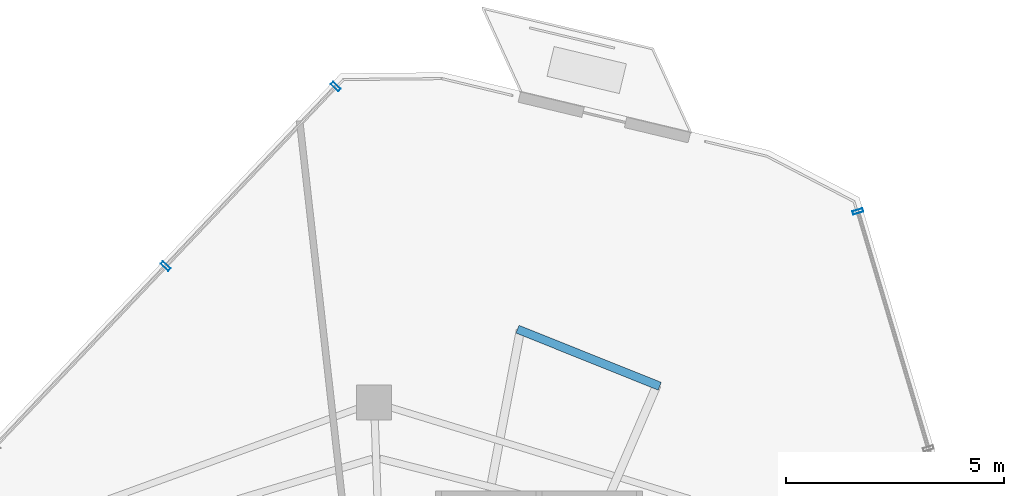
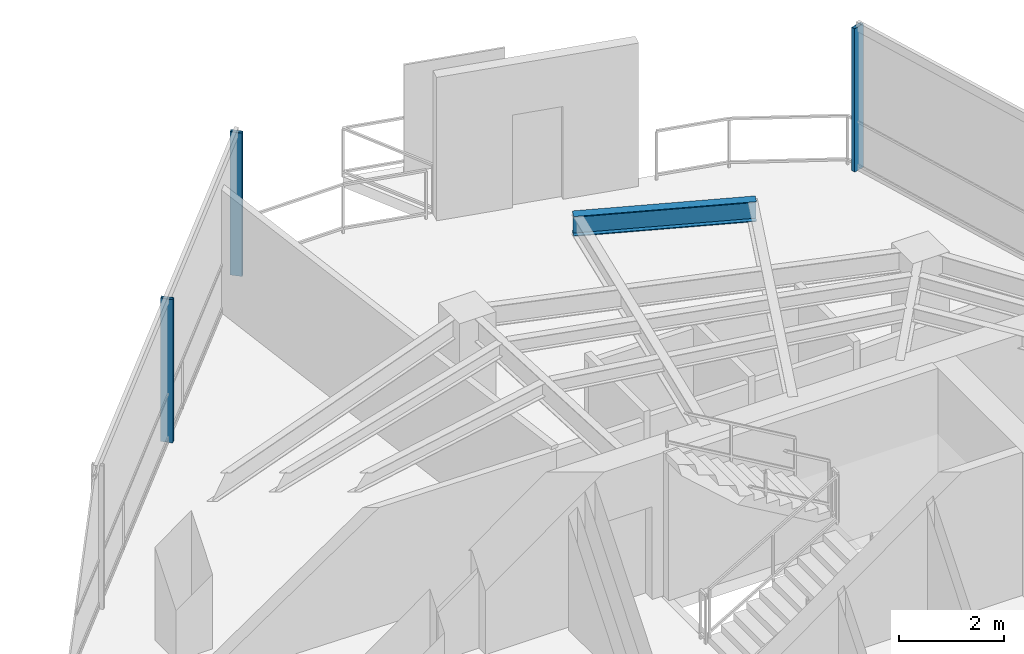
# One storey, part 13 of 18: 3 members, 1 beam, 2 elements without a shape of their own.
"""IFC4 building model written with IfcOpenShell, lengths in metres."""

import ifcopenshell
import ifcopenshell.guid

model = None  # the IFC model being written
_history = None  # IfcOwnerHistory: only IFC2X3 demands one
_inside = {}  # id of a spatial element -> (the spatial element, [elements in it])
_under = {}  # id of a project, library or spatial element -> (it, [spatial elements below it])
_declared = {}  # id of a project -> (the project, [libraries it declares])
_typed = {}  # id of a type object -> (the type object, [elements of that type])
_made_of = {}  # id of a material, layer set ... -> (it, [elements and type objects made of it])


def new_model(schema):
    """Start an empty IFC model of exactly this schema.

    Asked for "IFC4X3", IfcOpenShell would pick the latest addendum, in which some entities
    have other attributes; the version numbers below select the first issue.
    IFC2X3 requires an IfcOwnerHistory on every rooted entity: one is made here for all.
    """
    global model, _history
    if schema == "IFC4X3":
        model = ifcopenshell.file(schema_version=(4, 3, 0, 0))
    else:
        model = ifcopenshell.file(schema=schema)
    _inside.clear()
    _under.clear()
    _declared.clear()
    _typed.clear()
    _made_of.clear()
    _history = None
    if model.schema == "IFC2X3":
        org = make("IfcOrganization", Name="unknown")
        user = make(
            "IfcPersonAndOrganization",
            ThePerson=make("IfcPerson", FamilyName="unknown"),
            TheOrganization=org,
        )
        app = make(
            "IfcApplication",
            ApplicationDeveloper=org,
            Version="unknown",
            ApplicationFullName="unknown",
            ApplicationIdentifier="unknown",
        )
        _history = make(
            "IfcOwnerHistory",
            OwningUser=user,
            OwningApplication=app,
            ChangeAction="ADDED",
            CreationDate=0,
        )
    return model


def make(cls, **values):
    """One entity of the class cls with the attributes given. An attribute that is None is left unset."""
    return model.create_entity(
        cls, **{name: value for name, value in values.items() if value is not None}
    )


def rooted(cls, **values):
    """An entity with a GlobalId (a new one), such as an element, a storey or a relation."""
    return make(cls, GlobalId=ifcopenshell.guid.new(), OwnerHistory=_history, **values)


def si_unit(unit_type, name, prefix=None):
    """IfcSIUnit, for example si_unit("LENGTHUNIT", "METRE", prefix="MILLI")."""
    return make("IfcSIUnit", UnitType=unit_type, Prefix=prefix, Name=name)


def assignment(units):
    """IfcUnitAssignment: the units of a project."""
    return None if units is None else make("IfcUnitAssignment", Units=units)


def point(xyz):
    """IfcCartesianPoint."""
    return None if xyz is None else make("IfcCartesianPoint", Coordinates=xyz)


def direction(xyz):
    """IfcDirection."""
    return None if xyz is None else make("IfcDirection", DirectionRatios=xyz)


def frame(location, z_axis=None, x_axis=None):
    """IfcAxis2Placement3D, a coordinate frame: its origin and axes. An axis left out is left unset."""
    return make(
        "IfcAxis2Placement3D",
        Location=point(location),
        Axis=direction(z_axis),
        RefDirection=direction(x_axis),
    )


def frame_2d(location, x_axis=None):
    """IfcAxis2Placement2D, a coordinate frame in the plane: its origin and x axis."""
    return make(
        "IfcAxis2Placement2D", Location=point(location), RefDirection=direction(x_axis)
    )


def origin():
    """The frame at (0, 0, 0) with its axes left unset."""
    return frame((0.0, 0.0, 0.0))


def origin_2d():
    """The frame at (0, 0) in the plane with its x axis left unset."""
    return frame_2d((0.0, 0.0))


def place(relative_to, where):
    """IfcLocalPlacement: puts the frame where relative to a parent placement (None: the world)."""
    return make(
        "IfcLocalPlacement", PlacementRelTo=relative_to, RelativePlacement=where
    )


def context(
    kind, dimensions, precision=None, world=None, true_north=None, identifier=None
):
    """IfcGeometricRepresentationContext, for example the 3D "Model" context."""
    return make(
        "IfcGeometricRepresentationContext",
        ContextIdentifier=identifier,
        ContextType=kind,
        CoordinateSpaceDimension=dimensions,
        Precision=precision,
        WorldCoordinateSystem=world,
        TrueNorth=true_north,
    )


def subcontext(parent, identifier, kind, view, scale=None):
    """IfcGeometricRepresentationSubContext, for example "Body" below "Model"."""
    return make(
        "IfcGeometricRepresentationSubContext",
        ContextIdentifier=identifier,
        ContextType=kind,
        ParentContext=parent,
        TargetScale=scale,
        TargetView=view,
    )


def project(units=None, contexts=None):
    """IfcProject with its units and contexts."""
    return rooted(
        "IfcProject",
        Name="project",
        RepresentationContexts=contexts,
        UnitsInContext=assignment(units),
    )


def spatial(cls, under=None, at=None, **own):
    """A site, building, storey or space (cls), placed at a placement, below another one or the project."""
    s = rooted(cls, ObjectPlacement=at, **own)
    if under is not None:
        _under.setdefault(under.id(), (under, []))[1].append(s)
    return s


def profile(cls, at=None, kind="AREA", **sizes):
    """A parametric profile (cls). Its sizes go by their IFC names, for example OverallWidth=200.0."""
    return make(cls, ProfileType=kind, Position=at, **sizes)


def hollow_rectangle(**sizes):
    """IfcRectangleHollowProfileDef."""
    return profile("IfcRectangleHollowProfileDef", **sizes)


def i_section(**sizes):
    """IfcIShapeProfileDef."""
    return profile("IfcIShapeProfileDef", **sizes)


def extrude(swept, where, along, depth):
    """IfcExtrudedAreaSolid: the profile swept, set in the frame where, extruded along a direction by depth."""
    return make(
        "IfcExtrudedAreaSolid",
        SweptArea=swept,
        Position=where,
        ExtrudedDirection=direction(along),
        Depth=depth,
    )


def shape(context_of_items, identifier, shape_type, items):
    """IfcShapeRepresentation: the items that make up one representation, for example the "Body"."""
    return make(
        "IfcShapeRepresentation",
        ContextOfItems=context_of_items,
        RepresentationIdentifier=identifier,
        RepresentationType=shape_type,
        Items=items,
    )


def material(Name=None, Category=None):
    """IfcMaterial."""
    return make("IfcMaterial", Name=Name, Category=Category)


def layer(
    of_material, thickness, ventilated=None, Name=None, Category=None, Priority=None
):
    """IfcMaterialLayer: one layer of a wall or slab, of a material (None: an air gap)."""
    return make(
        "IfcMaterialLayer",
        Material=of_material,
        LayerThickness=thickness,
        IsVentilated=ventilated,
        Name=Name,
        Category=Category,
        Priority=Priority,
    )


def layer_set(layers, Name=None):
    """IfcMaterialLayerSet."""
    return make("IfcMaterialLayerSet", MaterialLayers=layers, LayerSetName=Name)


def material_profile(
    of_material, cross_section, Name=None, Category=None, Priority=None
):
    """IfcMaterialProfile: a cross section and its material."""
    return make(
        "IfcMaterialProfile",
        Name=Name,
        Material=of_material,
        Profile=cross_section,
        Priority=Priority,
        Category=Category,
    )


def profile_set(profiles, Name=None, composite=None):
    """IfcMaterialProfileSet."""
    return make(
        "IfcMaterialProfileSet",
        Name=Name,
        MaterialProfiles=profiles,
        CompositeProfile=composite,
    )


def made_of(thing, what):
    """Note that an element or type object is made of a material, layer set ...; save() writes the relation."""
    if what is not None:
        _made_of.setdefault(what.id(), (what, []))[1].append(thing)
    return thing


def type_object(cls, material=None, **own):
    """A type object (cls), such as IfcWallType, which elements share."""
    return made_of(rooted(cls, **own), material)


def element(
    cls,
    number,
    at=None,
    inside=None,
    cuts=None,
    type_object=None,
    material=None,
    context=None,
    identifier="Body",
    shape_type=None,
    held_by="IfcProductDefinitionShape",
    body=None,
    shapes=None,
    **own,
):
    """One element of the class cls, such as IfcWall. Its Tag is "e" and its number.

    at: its placement. inside: the storey or other place that contains it. cuts: it is an
    opening in that element (IfcRelVoidsElement). A single representation is given by context,
    identifier, shape_type and body (its items); several are given by shapes. held_by: the class
    of the entity that holds the representations. save() writes the other relations.
    """
    e = rooted(cls, Tag="e%d" % number, ObjectPlacement=at, **own)
    if body is not None:
        shapes = [shape(context, identifier, shape_type, body)]
    if shapes is not None:
        e.Representation = make(held_by, Representations=shapes)
    if inside is not None:
        _inside.setdefault(inside.id(), (inside, []))[1].append(e)
    if cuts is not None:
        rooted(
            "IfcRelVoidsElement", RelatingBuildingElement=cuts, RelatedOpeningElement=e
        )
    if type_object is not None:
        _typed.setdefault(type_object.id(), (type_object, []))[1].append(e)
    return made_of(e, material)


def aggregate(whole, parts):
    """IfcRelAggregates: a whole, such as a stair, and the parts it consists of."""
    return rooted("IfcRelAggregates", RelatingObject=whole, RelatedObjects=parts)


def save(model, path):
    """Write the relations noted so far, then the file.

    IfcRelAggregates (storeys below a building ...), IfcRelContainedInSpatialStructure (elements
    in a storey), IfcRelDefinesByType, IfcRelAssociatesMaterial and IfcRelDeclares: one each for
    every whole, place, type object, material and project.
    """
    for whole, parts in _under.values():
        aggregate(whole, parts)
    for where, things in _inside.values():
        rooted(
            "IfcRelContainedInSpatialStructure",
            RelatedElements=things,
            RelatingStructure=where,
        )
    for kind, things in _typed.values():
        rooted("IfcRelDefinesByType", RelatedObjects=things, RelatingType=kind)
    for what, things in _made_of.values():
        rooted("IfcRelAssociatesMaterial", RelatedObjects=things, RelatingMaterial=what)
    for by, libraries in _declared.values():
        rooted("IfcRelDeclares", RelatingContext=by, RelatedDefinitions=libraries)
    model.write(path)


model = new_model("IFC4")

# Units and contexts
model_context = context("Model", 3, precision=1e-05, world=origin(), true_north=direction((0.0, 1.0)))
body_context = subcontext(model_context, "Body", "Model", "MODEL_VIEW")
ifc_project = project(units=[si_unit("LENGTHUNIT", "METRE"), si_unit("AREAUNIT", "SQUARE_METRE"), si_unit("VOLUMEUNIT", "CUBIC_METRE"), si_unit("PLANEANGLEUNIT", "RADIAN"), si_unit("MASSUNIT", "GRAM", prefix="KILO")], contexts=[model_context])

# Site, building, storey
site_placement = place(None, origin())
site = spatial("IfcSite", under=ifc_project, at=site_placement, CompositionType="ELEMENT")
building_placement = place(site_placement, origin())
building = spatial("IfcBuilding", under=site, at=building_placement, Name="Qarnah Convention Tower", CompositionType="ELEMENT")
storey_placement = place(building_placement, frame((0.0, 0.0, 242.699951171875)))
storey = spatial("IfcBuildingStorey", under=building, at=storey_placement, Name="L65", CompositionType="ELEMENT", Elevation=242.699951171875)

# Beam
ifc_material_1 = material(Name="Structural steel S355JR", Category="steel")
ifc_material_profile_1 = material_profile(ifc_material_1, i_section(OverallWidth=0.19189453125, OverallDepth=0.464111328125, WebThickness=0.010986328125, FlangeThickness=0.01806640625, at=origin_2d()), Name="W460X89")
ifc_profile_set_1 = profile_set([ifc_material_profile_1], Name="Structural steel S355JR")
beam_type = type_object("IfcBeamType", Name="BM-CANT-W460A", PredefinedType="BEAM", material=ifc_profile_set_1)
beam_placement = place(storey_placement, frame((40.009033203125, 41.6201171875, 3.088134765625), z_axis=(0.928063247738, -0.372422620417, 0.0), x_axis=(0.372422620417, 0.928063247738, 0.0)))
element("IfcBeam", 1, at=beam_placement, inside=storey, type_object=beam_type, Name="L65 spandrel BM-L65-CTIE-01", PredefinedType="SPANDREL", context=body_context, shape_type="SweptSolid", body=[
    extrude(i_section(OverallWidth=0.19189453125, OverallDepth=0.464111328125, WebThickness=0.010986328125, FlangeThickness=0.01806640625, at=origin_2d()), origin(), (0.0, 0.0, 1.0), 3.507080078125),
])

# Curtain wall, members
ifc_material_2 = material(Name="Tempered Low-E dark glass", Category="glass")
ifc_layer = layer(ifc_material_2, 0.176025390625)
ifc_layer_set = layer_set([ifc_layer], Name="Tempered Low-E dark glass")
curtain_wall_type = type_object("IfcCurtainWallType", Name="CWS-05", PredefinedType="NOTDEFINED", material=ifc_layer_set)
curtain_wall_1_placement = place(storey_placement, origin())
curtain_wall_1 = element("IfcCurtainWall", 2, at=curtain_wall_1_placement, inside=storey, type_object=curtain_wall_type, Name="L65 unitised curtain wall CW-L65-F1", PredefinedType="NOTDEFINED")
ifc_material_3 = material(Name="Black anodised aluminium", Category="aluminium")
ifc_material_profile_2 = material_profile(ifc_material_3, hollow_rectangle(XDim=0.080078125, YDim=0.239990234375, WallThickness=0.0048828125, at=origin_2d()), Name="MUL-80X240")
ifc_profile_set_2 = profile_set([ifc_material_profile_2], Name="Black anodised aluminium")
member_type = type_object("IfcMemberType", Name="MUL-T5", PredefinedType="MULLION", material=ifc_profile_set_2)
member_1_placement = place(storey_placement, frame((31.95263671875, 43.063720703125, 0.0), z_axis=(0.0, 0.0, 1.0), x_axis=(0.687589797822, 0.726099352658, 0.0)))
member_1 = element("IfcMember", 3, at=member_1_placement, type_object=member_type, Name="CW-L65-F1 mullion 5", PredefinedType="MULLION", context=body_context, shape_type="SweptSolid", body=[
    extrude(hollow_rectangle(XDim=0.080078125, YDim=0.239990234375, WallThickness=0.0048828125, at=origin_2d()), origin(), (0.0, 0.0, 1.0), 3.320068359375),
])
member_2_placement = place(storey_placement, frame((35.844970703125, 47.174072265625, 0.0), z_axis=(0.0, 0.0, 1.0), x_axis=(0.687589797822, 0.726099352658, 0.0)))
member_2 = element("IfcMember", 4, at=member_2_placement, type_object=member_type, Name="CW-L65-F1 mullion 6", PredefinedType="MULLION", context=body_context, shape_type="SweptSolid", body=[
    extrude(hollow_rectangle(XDim=0.080078125, YDim=0.239990234375, WallThickness=0.0048828125, at=origin_2d()), origin(), (0.0, 0.0, 1.0), 3.320068359375),
])
aggregate(curtain_wall_1, [member_1, member_2])

# Curtain wall, member
curtain_wall_2_placement = place(storey_placement, origin())
curtain_wall_2 = element("IfcCurtainWall", 5, at=curtain_wall_2_placement, inside=storey, type_object=curtain_wall_type, Name="L65 unitised curtain wall CW-L65-F2", PredefinedType="NOTDEFINED")
member_3_placement = place(storey_placement, frame((47.800048828125, 44.31591796875, 0.0), z_axis=(0.0, 0.0, 1.0), x_axis=(0.285022909469, -0.958520704564, 0.0)))
member_3 = element("IfcMember", 6, at=member_3_placement, type_object=member_type, Name="CW-L65-F2 mullion 1", PredefinedType="MULLION", context=body_context, shape_type="SweptSolid", body=[
    extrude(hollow_rectangle(XDim=0.080078125, YDim=0.239990234375, WallThickness=0.0048828125, at=origin_2d()), origin(), (0.0, 0.0, 1.0), 3.320068359375),
])
aggregate(curtain_wall_2, [member_3])

save(model, "model.ifc")
